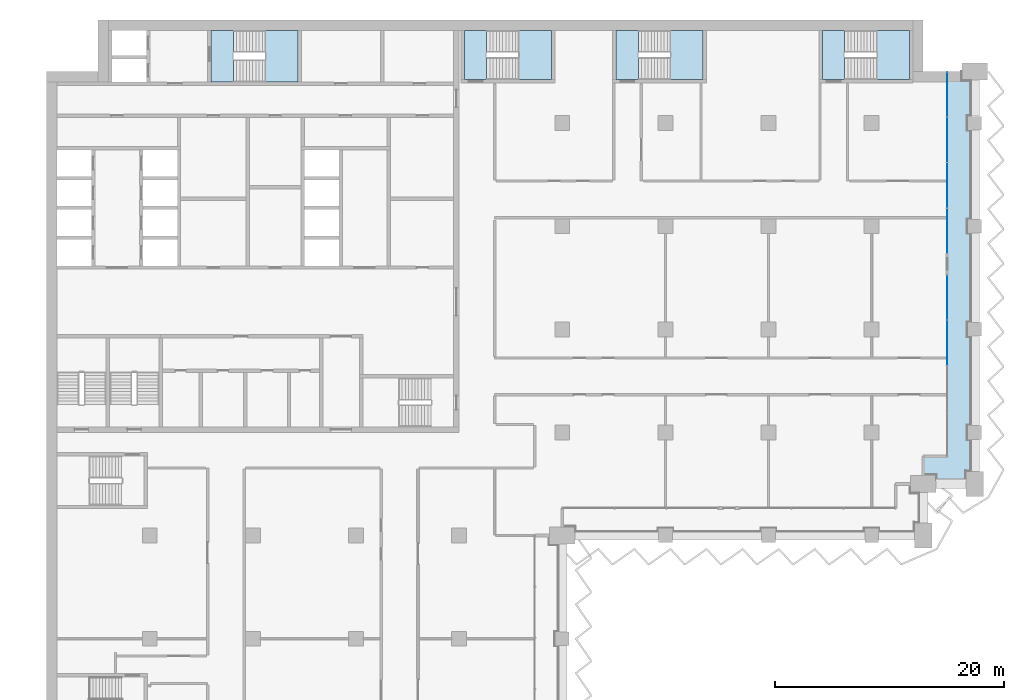
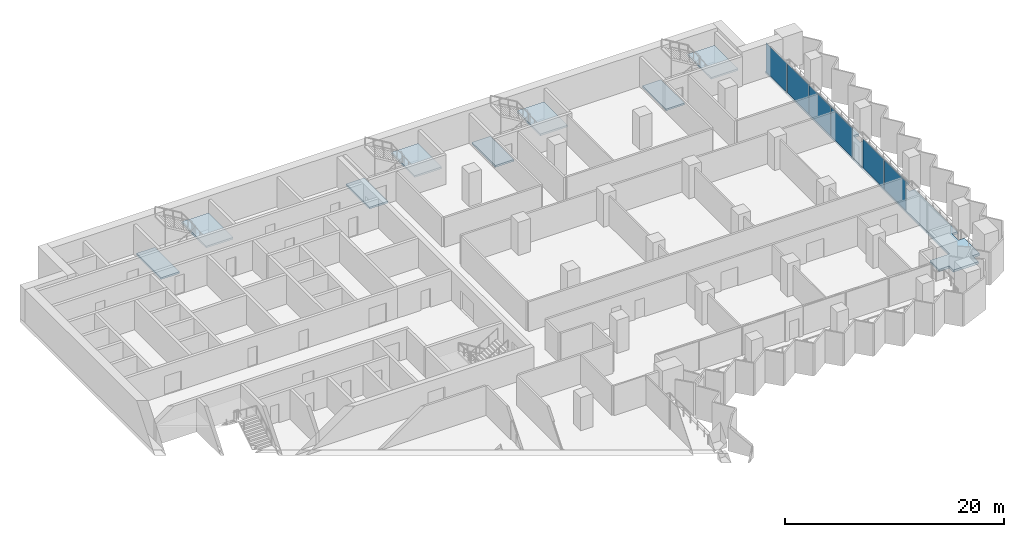
# One storey, part 8 of 22: 9 slabs, 6 plates, 6 elements without a shape of their own.
"""IFC4 building model written with IfcOpenShell, lengths in metres."""

from ifc_helpers import new_model, si_unit, direction, frame, origin, origin_2d, place, context, subcontext, project, spatial, polyline, rectangle, outline, extrude, material, layer, layer_set, type_object, element, aggregate, save


model = new_model("IFC4")

# Units and contexts
model_context = context("Model", 3, precision=1e-05, world=origin(), true_north=direction((0.0, 1.0)))
body_context = subcontext(model_context, "Body", "Model", "MODEL_VIEW")
ifc_project = project(units=[si_unit("LENGTHUNIT", "METRE"), si_unit("AREAUNIT", "SQUARE_METRE"), si_unit("VOLUMEUNIT", "CUBIC_METRE"), si_unit("PLANEANGLEUNIT", "RADIAN"), si_unit("MASSUNIT", "GRAM", prefix="KILO")], contexts=[model_context])

# Site, building, storey
site_placement = place(None, origin())
site = spatial("IfcSite", under=ifc_project, at=site_placement, CompositionType="ELEMENT")
building_placement = place(site_placement, origin())
building = spatial("IfcBuilding", under=site, at=building_placement, Name="Hunhe Ridgeline Campus", CompositionType="ELEMENT")
storey_placement = place(building_placement, frame((0.0, 0.0, 114.39990234375)))
storey = spatial("IfcBuildingStorey", under=building, at=storey_placement, Name="L28", CompositionType="ELEMENT", Elevation=114.39990234375)

# Curtain wall, plates
ifc_material_1 = material(Name="Aluminium 6063", Category="aluminium")
curtain_wall_type = type_object("IfcCurtainWallType", Name="Curtain wall CW-1", PredefinedType="NOTDEFINED", material=ifc_material_1)
curtain_wall_1_placement = place(storey_placement, origin())
curtain_wall_1 = element("IfcCurtainWall", 1, at=curtain_wall_1_placement, inside=storey, type_object=curtain_wall_type, Name="Curtain wall 14", PredefinedType="NOTDEFINED")
ifc_material_2 = material(Name="Low-e laminated glass", Category="glass")
ifc_layer_1 = layer(ifc_material_2, 0.028076171875)
ifc_layer_set_1 = layer_set([ifc_layer_1], Name="Curtain wall glass panel 28 low-e laminated")
plate_type = type_object("IfcPlateType", Name="Curtain wall glass panel 28 low-e laminated", PredefinedType="CURTAIN_PANEL", material=ifc_layer_set_1)
plate_1_placement = place(storey_placement, frame((78.59912109375, 70.838134765625, 0.0), z_axis=(0.0, 0.0, 1.0), x_axis=(0.0, 1.0, 0.0)))
plate_1 = element("IfcPlate", 2, at=plate_1_placement, type_object=plate_type, Name="CW-1 panel 3", PredefinedType="CURTAIN_PANEL", context=body_context, shape_type="SweptSolid", body=[
    extrude(rectangle(XDim=3.914794921875, YDim=0.028076171875, at=origin_2d()), origin(), (0.0, 0.0, 1.0), 3.239990234375),
])
plate_2_placement = place(storey_placement, frame((78.59912109375, 74.798095703125, 0.0), z_axis=(0.0, 0.0, 1.0), x_axis=(0.0, 1.0, 0.0)))
plate_2 = element("IfcPlate", 3, at=plate_2_placement, type_object=plate_type, Name="CW-1 panel 4", PredefinedType="CURTAIN_PANEL", context=body_context, shape_type="SweptSolid", body=[
    extrude(rectangle(XDim=3.884765625, YDim=0.028076171875, at=origin_2d()), origin(), (0.0, 0.0, 1.0), 3.239990234375),
])
aggregate(curtain_wall_1, [plate_1, plate_2])

curtain_wall_2_placement = place(storey_placement, origin())
curtain_wall_2 = element("IfcCurtainWall", 4, at=curtain_wall_2_placement, inside=storey, type_object=curtain_wall_type, Name="Curtain wall 15", PredefinedType="NOTDEFINED")
plate_3_placement = place(storey_placement, frame((78.59912109375, 80.60302734375, 0.0), z_axis=(0.0, 0.0, 1.0), x_axis=(0.0, 1.0, 0.0)))
plate_3 = element("IfcPlate", 5, at=plate_3_placement, type_object=plate_type, Name="CW-1 panel 1", PredefinedType="CURTAIN_PANEL", context=body_context, shape_type="SweptSolid", body=[
    extrude(rectangle(XDim=3.884765625, YDim=0.028076171875, at=origin_2d()), origin(), (0.0, 0.0, 1.0), 3.239990234375),
])
plate_4_placement = place(storey_placement, frame((78.59912109375, 84.562744140625, 0.0), z_axis=(0.0, 0.0, 1.0), x_axis=(0.0, 1.0, 0.0)))
plate_4 = element("IfcPlate", 6, at=plate_4_placement, type_object=plate_type, Name="CW-1 panel 2", PredefinedType="CURTAIN_PANEL", context=body_context, shape_type="SweptSolid", body=[
    extrude(rectangle(XDim=3.914794921875, YDim=0.028076171875, at=origin_2d()), origin(), (0.0, 0.0, 1.0), 3.239990234375),
])
plate_5_placement = place(storey_placement, frame((78.59912109375, 88.53759765625, 0.0), z_axis=(0.0, 0.0, 1.0), x_axis=(0.0, 1.0, 0.0)))
plate_5 = element("IfcPlate", 7, at=plate_5_placement, type_object=plate_type, Name="CW-1 panel 3", PredefinedType="CURTAIN_PANEL", context=body_context, shape_type="SweptSolid", body=[
    extrude(rectangle(XDim=3.914794921875, YDim=0.028076171875, at=origin_2d()), origin(), (0.0, 0.0, 1.0), 3.239990234375),
])
plate_6_placement = place(storey_placement, frame((78.59912109375, 92.49755859375, 0.0), z_axis=(0.0, 0.0, 1.0), x_axis=(0.0, 1.0, 0.0)))
plate_6 = element("IfcPlate", 8, at=plate_6_placement, type_object=plate_type, Name="CW-1 panel 4", PredefinedType="CURTAIN_PANEL", context=body_context, shape_type="SweptSolid", body=[
    extrude(rectangle(XDim=3.884765625, YDim=0.028076171875, at=origin_2d()), origin(), (0.0, 0.0, 1.0), 3.239990234375),
])
aggregate(curtain_wall_2, [plate_3, plate_4, plate_5, plate_6])

# Slab
ifc_material_3 = material(Name="Concrete C40", Category="concrete")
ifc_layer_2 = layer(ifc_material_3, 0.25)
ifc_layer_set_2 = layer_set([ifc_layer_2], Name="Loggia slab 250 Concrete C40")
slab_type_1 = type_object("IfcSlabType", Name="Loggia slab 250 Concrete C40", PredefinedType="FLOOR", material=ifc_layer_set_2)
slab_1_placement = place(storey_placement, frame((0.0, 0.0, -0.25)))
element("IfcSlab", 9, at=slab_1_placement, inside=storey, type_object=slab_type_1, Name="Loggia slab 3", PredefinedType="FLOOR", context=body_context, shape_type="SweptSolid", body=[
    extrude(outline(polyline([(76.5, 59.25), (77.60009765625, 59.25), (77.60009765625, 58.5), (80.25, 58.5), (80.25, 59.60009765625), (81.0, 59.60009765625), (81.0, 62.39990234375), (80.39990234375, 62.39990234375), (80.39990234375, 63.60009765625), (81.0, 63.60009765625), (81.0, 71.39990234375), (80.39990234375, 71.39990234375), (80.39990234375, 72.60009765625), (81.0, 72.60009765625), (81.0, 80.39990234375), (80.39990234375, 80.39990234375), (80.39990234375, 81.60009765625), (81.0, 81.60009765625), (81.0, 89.39990234375), (80.39990234375, 89.39990234375), (80.39990234375, 90.60009765625), (81.0, 90.60009765625), (81.0, 93.75), (79.89990234375, 93.75), (79.89990234375, 94.5), (78.60009765625, 94.5), (78.60009765625, 60.89990234375), (76.5, 60.89990234375), (76.5, 59.25)])), origin(), (0.0, 0.0, 1.0), 0.25),
])

# Stair, slab
stair_type = type_object("IfcStairType", Name="Reinforced concrete dog-leg stair 1950 Concrete C40", PredefinedType="HALF_TURN_STAIR", material=ifc_material_3)
stair_1_placement = place(storey_placement, origin())
stair_1 = element("IfcStair", 10, at=stair_1_placement, inside=storey, type_object=stair_type, Name="L28 S1", PredefinedType="HALF_TURN_STAIR")
ifc_layer_3 = layer(ifc_material_3, 0.199951171875)
ifc_layer_set_3 = layer_set([ifc_layer_3], Name="Reinforced concrete stair landing 200 Concrete C40")
slab_type_2 = type_object("IfcSlabType", Name="Reinforced concrete stair landing 200 Concrete C40", PredefinedType="LANDING", material=ifc_layer_set_3)
slab_2_placement = place(storey_placement, frame((0.0, 0.0, 1.650146484375)))
slab_2 = element("IfcSlab", 11, at=slab_2_placement, type_object=slab_type_2, Name="ST1 landing 1", PredefinedType="LANDING", context=body_context, shape_type="SweptSolid", body=[
    extrude(outline(polyline([(19.10009765625, 93.60009765625), (21.949951171875, 93.60009765625), (21.949951171875, 98.10009765625), (19.10009765625, 98.10009765625), (19.10009765625, 93.60009765625)])), origin(), (0.0, 0.0, 1.0), 0.199951171875),
])
aggregate(stair_1, [slab_2])

# Slab
slab_3_placement = place(storey_placement, frame((0.0, 0.0, -0.199951171875)))
element("IfcSlab", 12, at=slab_3_placement, inside=storey, type_object=slab_type_2, Name="L28 stair S1 floor landing", PredefinedType="LANDING", context=body_context, shape_type="SweptSolid", body=[
    extrude(outline(polyline([(14.35009765625, 93.60009765625), (16.300048828125, 93.60009765625), (16.300048828125, 98.10009765625), (14.35009765625, 98.10009765625), (14.35009765625, 93.60009765625)])), origin(), (0.0, 0.0, 1.0), 0.199951171875),
])

# Stair, slab
stair_2_placement = place(storey_placement, origin())
stair_2 = element("IfcStair", 13, at=stair_2_placement, inside=storey, type_object=stair_type, Name="L28 E1", PredefinedType="HALF_TURN_STAIR")
slab_4_placement = place(storey_placement, frame((0.0, 0.0, 1.650146484375)))
slab_4 = element("IfcSlab", 14, at=slab_4_placement, type_object=slab_type_2, Name="ST5 landing 1", PredefinedType="LANDING", context=body_context, shape_type="SweptSolid", body=[
    extrude(outline(polyline([(41.199951171875, 93.800048828125), (44.050048828125, 93.800048828125), (44.050048828125, 98.10009765625), (41.199951171875, 98.10009765625), (41.199951171875, 93.800048828125)])), origin(), (0.0, 0.0, 1.0), 0.199951171875),
])
aggregate(stair_2, [slab_4])

# Slab
slab_5_placement = place(storey_placement, frame((0.0, 0.0, -0.199951171875)))
element("IfcSlab", 15, at=slab_5_placement, inside=storey, type_object=slab_type_2, Name="L28 stair E1 floor landing", PredefinedType="LANDING", context=body_context, shape_type="SweptSolid", body=[
    extrude(outline(polyline([(36.449951171875, 93.800048828125), (38.39990234375, 93.800048828125), (38.39990234375, 98.10009765625), (36.449951171875, 98.10009765625), (36.449951171875, 93.800048828125)])), origin(), (0.0, 0.0, 1.0), 0.199951171875),
])

# Stair, slab
stair_3_placement = place(storey_placement, origin())
stair_3 = element("IfcStair", 16, at=stair_3_placement, inside=storey, type_object=stair_type, Name="L28 E2", PredefinedType="HALF_TURN_STAIR")
slab_6_placement = place(storey_placement, frame((0.0, 0.0, 1.650146484375)))
slab_6 = element("IfcSlab", 17, at=slab_6_placement, type_object=slab_type_2, Name="ST6 landing 1", PredefinedType="LANDING", context=body_context, shape_type="SweptSolid", body=[
    extrude(outline(polyline([(54.449951171875, 93.800048828125), (57.300048828125, 93.800048828125), (57.300048828125, 98.10009765625), (54.449951171875, 98.10009765625), (54.449951171875, 93.800048828125)])), origin(), (0.0, 0.0, 1.0), 0.199951171875),
])
aggregate(stair_3, [slab_6])

# Slab
slab_7_placement = place(storey_placement, frame((0.0, 0.0, -0.199951171875)))
element("IfcSlab", 18, at=slab_7_placement, inside=storey, type_object=slab_type_2, Name="L28 stair E2 floor landing", PredefinedType="LANDING", context=body_context, shape_type="SweptSolid", body=[
    extrude(outline(polyline([(49.699951171875, 93.800048828125), (51.64990234375, 93.800048828125), (51.64990234375, 98.10009765625), (49.699951171875, 98.10009765625), (49.699951171875, 93.800048828125)])), origin(), (0.0, 0.0, 1.0), 0.199951171875),
])

# Stair, slab
stair_4_placement = place(storey_placement, origin())
stair_4 = element("IfcStair", 19, at=stair_4_placement, inside=storey, type_object=stair_type, Name="L28 E3", PredefinedType="HALF_TURN_STAIR")
slab_8_placement = place(storey_placement, frame((0.0, 0.0, 1.650146484375)))
slab_8 = element("IfcSlab", 20, at=slab_8_placement, type_object=slab_type_2, Name="ST7 landing 1", PredefinedType="LANDING", context=body_context, shape_type="SweptSolid", body=[
    extrude(outline(polyline([(72.449951171875, 93.800048828125), (75.300048828125, 93.800048828125), (75.300048828125, 98.10009765625), (72.449951171875, 98.10009765625), (72.449951171875, 93.800048828125)])), origin(), (0.0, 0.0, 1.0), 0.199951171875),
])
aggregate(stair_4, [slab_8])

# Slab
slab_9_placement = place(storey_placement, frame((0.0, 0.0, -0.199951171875)))
element("IfcSlab", 21, at=slab_9_placement, inside=storey, type_object=slab_type_2, Name="L28 stair E3 floor landing", PredefinedType="LANDING", context=body_context, shape_type="SweptSolid", body=[
    extrude(outline(polyline([(67.699951171875, 93.800048828125), (69.64990234375, 93.800048828125), (69.64990234375, 98.10009765625), (67.699951171875, 98.10009765625), (67.699951171875, 93.800048828125)])), origin(), (0.0, 0.0, 1.0), 0.199951171875),
])

save(model, "model.ifc")
